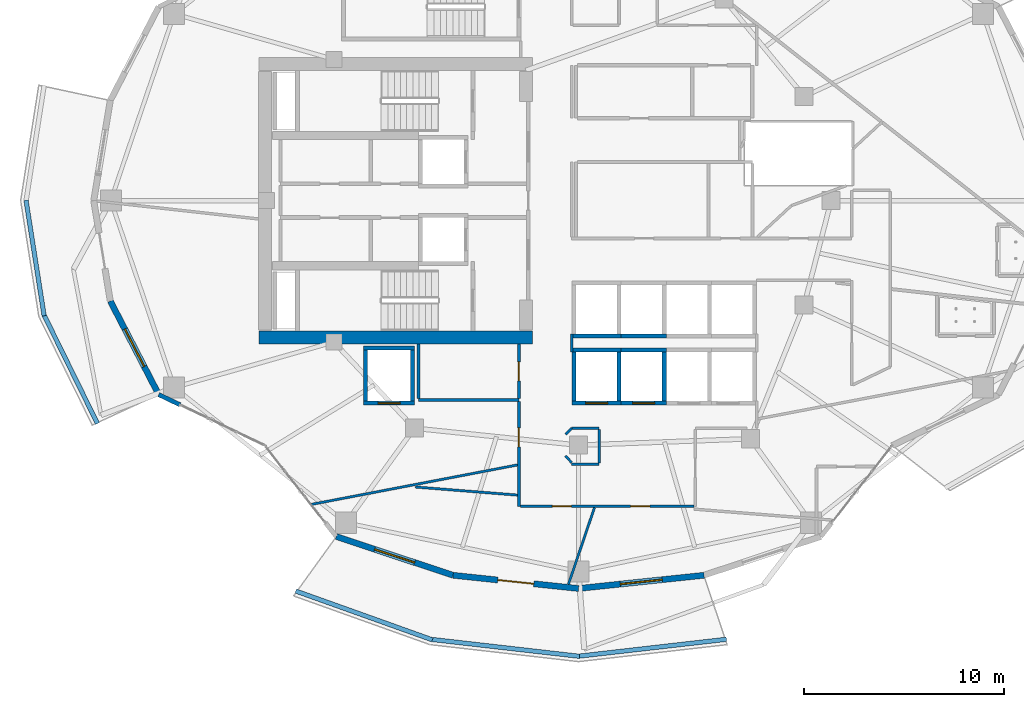
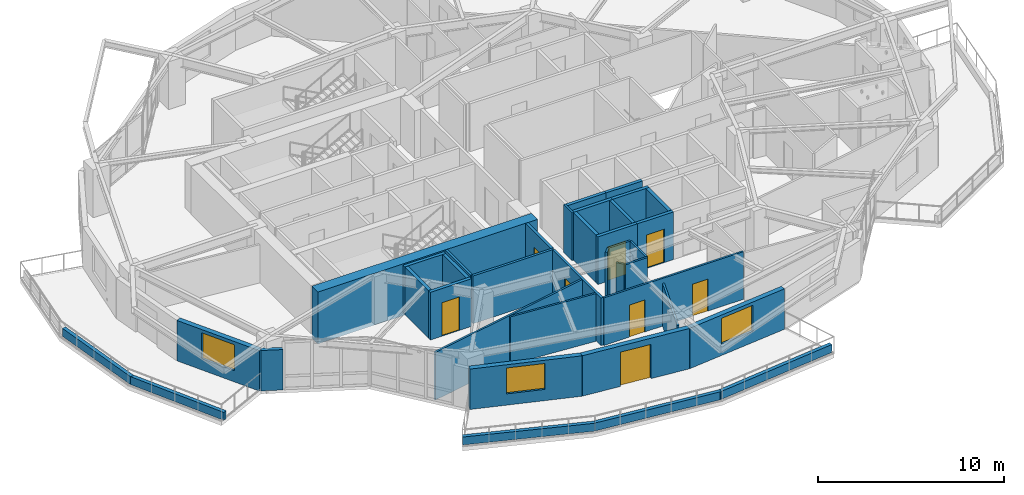
# One storey, part 7 of 18: 38 walls, 8 doors, 3 windows, 11 openings.
"""IFC4 building model written with IfcOpenShell, lengths in metres."""

from ifc_helpers import new_model, si_unit, direction, frame, frame_2d, origin, place, context, subcontext, project, spatial, rectangle, extrude, material, layer, layer_set, type_object, element, fill, save


model = new_model("IFC4")

# Units and contexts
model_context = context("Model", 3, precision=1e-05, world=origin(), true_north=direction((0.0, 1.0)))
body_context = subcontext(model_context, "Body", "Model", "MODEL_VIEW")
ifc_project = project(units=[si_unit("LENGTHUNIT", "METRE"), si_unit("AREAUNIT", "SQUARE_METRE"), si_unit("VOLUMEUNIT", "CUBIC_METRE"), si_unit("PLANEANGLEUNIT", "RADIAN"), si_unit("MASSUNIT", "GRAM", prefix="KILO")], contexts=[model_context])

# Site, building, storey
site_placement = place(None, origin())
site = spatial("IfcSite", under=ifc_project, at=site_placement, CompositionType="ELEMENT")
building_placement = place(site_placement, origin())
building = spatial("IfcBuilding", under=site, at=building_placement, Name="Kolvaren Gate Tower and Convention Centre", CompositionType="ELEMENT")
storey_placement = place(building_placement, frame((0.0, 0.0, 115.5)))
storey = spatial("IfcBuildingStorey", under=building, at=storey_placement, Name="L28", CompositionType="ELEMENT", Elevation=115.5)

# Wall
ifc_material_1 = material(Name="Fire-Rated Acoustic Gypsum Stud Partition", Category="gypsum")
ifc_layer_1 = layer(ifc_material_1, 0.1201171875)
ifc_layer_set_1 = layer_set([ifc_layer_1], Name="Fire-Rated Acoustic Gypsum Stud Partition")
wall_type_1 = type_object("IfcWallType", Name="ARCH-WL-PART-120", PredefinedType="PARTITIONING", material=ifc_layer_set_1)
wall_1_placement = place(storey_placement, frame((29.780029296875, 15.64990234375, 0.0), z_axis=(0.0, 0.0, 1.0), x_axis=(1.0, 0.0, 0.0)))
element("IfcWall", 1, at=wall_1_placement, inside=storey, type_object=wall_type_1, Name="Interior Partition WL-L28-INT-024", PredefinedType="PARTITIONING", context=body_context, shape_type="SweptSolid", body=[
    extrude(rectangle(XDim=1.369873046875, YDim=0.1201171875, at=frame_2d((0.68505859375, 0.0))), origin(), (0.0, 0.0, 1.0), 3.1298828125),
])

# Wall, openings, doors
wall_2_placement = place(storey_placement, frame((27.22705078125, 11.75, 0.0), z_axis=(0.0, 0.0, 1.0), x_axis=(1.0, 0.0, 0.0)))
wall_2 = element("IfcWall", 2, at=wall_2_placement, inside=storey, type_object=wall_type_1, Name="Interior Partition WL-L28-INT-027", PredefinedType="PARTITIONING", context=body_context, shape_type="SweptSolid", body=[
    extrude(rectangle(XDim=8.660888671875, YDim=0.1201171875, at=frame_2d((4.33056640625, 0.0))), origin(), (0.0, 0.0, 1.0), 3.1298828125),
])
opening_1_placement = place(wall_2_placement, frame((1.59326171875, 0.0, 0.0)))
opening_1 = element("IfcOpeningElement", 3, at=opening_1_placement, cuts=wall_2, Name="Opening DR-01", PredefinedType="OPENING", context=body_context, shape_type="SweptSolid", body=[
    extrude(rectangle(XDim=0.949951171875, YDim=2.10009765625, at=frame_2d((0.47509765625, 1.050048828125))), frame((0.0, 0.070068359375, 0.0), z_axis=(0.0, -1.0, 0.0), x_axis=(1.0, 0.0, 0.0)), (0.0, 0.0, 1.0), 0.14013671875),
])
opening_2_placement = place(wall_2_placement, frame((5.500244140625, 0.0, 0.0)))
opening_2 = element("IfcOpeningElement", 4, at=opening_2_placement, cuts=wall_2, Name="Opening DR-01", PredefinedType="OPENING", context=body_context, shape_type="SweptSolid", body=[
    extrude(rectangle(XDim=0.949951171875, YDim=2.10009765625, at=frame_2d((0.47509765625, 1.050048828125))), frame((0.0, 0.070068359375, 0.0), z_axis=(0.0, -1.0, 0.0), x_axis=(1.0, 0.0, 0.0)), (0.0, 0.0, 1.0), 0.14013671875),
])
ifc_material_2 = material(Name="Painted Architectural Steelwork ASTM A500 Grade C 345 MPa", Category="steel")
door_type_1 = type_object("IfcDoorType", Name="ARCH-DR-RISER-950", OperationType="SINGLE_SWING_RIGHT", PredefinedType="DOOR", material=ifc_material_2)
door_1_placement = place(opening_1_placement, origin())
door_1 = element("IfcDoor", 5, at=door_1_placement, inside=storey, type_object=door_type_1, Name="Hotel Executive Business Office Door", OperationType="SINGLE_SWING_LEFT", OverallHeight=2.10009765625, OverallWidth=0.949951171875, PredefinedType="DOOR", context=body_context, shape_type="SweptSolid", body=[
    extrude(rectangle(XDim=0.949951171875, YDim=2.10009765625, at=frame_2d((0.47509765625, 1.050048828125))), frame((0.0, 0.02490234375, 0.0), z_axis=(0.0, -1.0, 0.0), x_axis=(1.0, 0.0, 0.0)), (0.0, 0.0, 1.0), 0.050048828125),
])
fill(opening_1, door_1)
door_2_placement = place(opening_2_placement, origin())
door_2 = element("IfcDoor", 6, at=door_2_placement, inside=storey, type_object=door_type_1, Name="Hotel Executive Business Office Door", OperationType="SINGLE_SWING_RIGHT", OverallHeight=2.10009765625, OverallWidth=0.949951171875, PredefinedType="DOOR", context=body_context, shape_type="SweptSolid", body=[
    extrude(rectangle(XDim=0.949951171875, YDim=2.10009765625, at=frame_2d((0.47509765625, 1.050048828125))), frame((0.0, 0.02490234375, 0.0), z_axis=(0.0, -1.0, 0.0), x_axis=(1.0, 0.0, 0.0)), (0.0, 0.0, 1.0), 0.050048828125),
])
fill(opening_2, door_2)

# Walls
wall_3_placement = place(storey_placement, frame((29.780029296875, 19.43994140625, 0.0), z_axis=(0.0, 0.0, 1.0), x_axis=(0.0, 1.0, 0.0)))
element("IfcWall", 7, at=wall_3_placement, inside=storey, type_object=wall_type_1, Name="Interior Partition WL-L28-INT-030", PredefinedType="PARTITIONING", context=body_context, shape_type="SweptSolid", body=[
    extrude(rectangle(XDim=0.920166015625, YDim=0.1201171875, at=frame_2d((0.4599609375, 0.0))), origin(), (0.0, 0.0, 1.0), 3.1298828125),
])
wall_4_placement = place(storey_placement, frame((29.47607421875, 15.3330078125, 0.0), z_axis=(0.0, 0.0, 1.0), x_axis=(0.692219273951, 0.721687243043, 0.0)))
element("IfcWall", 8, at=wall_4_placement, inside=storey, type_object=wall_type_1, Name="Interior Partition WL-L28-INT-046", PredefinedType="PARTITIONING", context=body_context, shape_type="SweptSolid", body=[
    extrude(rectangle(XDim=0.439208984375, YDim=0.1201171875, at=frame_2d((0.2197265625, 0.0))), origin(), (0.0, 0.0, 1.0), 3.1298828125),
])
wall_5_placement = place(storey_placement, frame((29.47607421875, 14.26708984375, 0.0), z_axis=(0.0, 0.0, 1.0), x_axis=(0.670659392016, -0.741765448037, 0.0)))
element("IfcWall", 9, at=wall_5_placement, inside=storey, type_object=wall_type_1, Name="Interior Partition WL-L28-INT-047", PredefinedType="PARTITIONING", context=body_context, shape_type="SweptSolid", body=[
    extrude(rectangle(XDim=0.453125, YDim=0.1201171875, at=frame_2d((0.2265625, 0.0))), origin(), (0.0, 0.0, 1.0), 3.1298828125),
])
wall_6_placement = place(storey_placement, frame((29.780029296875, 13.85009765625, 0.0), z_axis=(0.0, 0.0, 1.0), x_axis=(1.0, 0.0, 0.0)))
element("IfcWall", 10, at=wall_6_placement, inside=storey, type_object=wall_type_1, Name="Interior Partition WL-L28-INT-048", PredefinedType="PARTITIONING", context=body_context, shape_type="SweptSolid", body=[
    extrude(rectangle(XDim=1.369873046875, YDim=0.1201171875, at=frame_2d((0.68505859375, 0.0))), origin(), (0.0, 0.0, 1.0), 3.1298828125),
])
wall_7_placement = place(storey_placement, frame((31.14990234375, 13.912109375, 0.0), z_axis=(0.0, 0.0, 1.0), x_axis=(0.0, 1.0, 0.0)))
element("IfcWall", 11, at=wall_7_placement, inside=storey, type_object=wall_type_1, Name="Interior Partition WL-L28-INT-049", PredefinedType="PARTITIONING", context=body_context, shape_type="SweptSolid", body=[
    extrude(rectangle(XDim=1.67578125, YDim=0.1201171875, at=frame_2d((0.837890625, 0.0))), origin(), (0.0, 0.0, 1.0), 3.1298828125),
])
wall_8_placement = place(storey_placement, frame((16.803466796875, 11.847900390625, 0.0), z_axis=(0.0, 0.0, 1.0), x_axis=(0.982158678802, 0.188054060457, 0.0)))
element("IfcWall", 12, at=wall_8_placement, inside=storey, type_object=wall_type_1, Name="Interior Partition WL-L28-INT-053", PredefinedType="PARTITIONING", context=body_context, shape_type="SweptSolid", body=[
    extrude(rectangle(XDim=10.4560546875, YDim=0.1201171875, at=frame_2d((5.22802734375, 0.0))), origin(), (0.0, 0.0, 1.0), 3.1298828125),
])
wall_9_placement = place(storey_placement, frame((21.97802734375, 12.714599609375, 0.0), z_axis=(0.0, 0.0, 1.0), x_axis=(0.996862641209, -0.079150960587, 0.0)))
element("IfcWall", 13, at=wall_9_placement, inside=storey, type_object=wall_type_1, Name="Interior Partition WL-L28-INT-055", PredefinedType="PARTITIONING", context=body_context, shape_type="SweptSolid", body=[
    extrude(rectangle(XDim=5.111083984375, YDim=0.1201171875, at=frame_2d((2.5556640625, 0.0))), origin(), (0.0, 0.0, 1.0), 3.1298828125),
])
wall_10_placement = place(storey_placement, frame((29.617919921875, 7.856201171875, 0.0), z_axis=(0.0, 0.0, 1.0), x_axis=(0.321507920556, 0.946906889308, 0.0)))
element("IfcWall", 14, at=wall_10_placement, inside=storey, type_object=wall_type_1, Name="Interior Partition WL-L28-INT-057", PredefinedType="PARTITIONING", context=body_context, shape_type="SweptSolid", body=[
    extrude(rectangle(XDim=4.046630859375, YDim=0.1201171875, at=frame_2d((2.0234375, 0.0))), origin(), (0.0, 0.0, 1.0), 2.81201171875),
])
ifc_material_3 = material(Name="Bogota Sabana Bush-Hammered Sandstone Cladding", Category="masonry")
ifc_layer_2 = layer(ifc_material_3, 0.219970703125)
ifc_layer_set_2 = layer_set([ifc_layer_2], Name="Bogota Sabana Bush-Hammered Sandstone Cladding")
wall_type_2 = type_object("IfcWallType", Name="ARCH-WL-PIER-220", PredefinedType="SOLIDWALL", material=ifc_layer_set_2)
wall_11_placement = place(storey_placement, frame((9.177978515625, 17.324951171875, 0.0), z_axis=(0.0, 0.0, 1.0), x_axis=(0.901426247285, -0.432932697664, 0.0)))
element("IfcWall", 15, at=wall_11_placement, inside=storey, type_object=wall_type_2, Name="Tower L28 Unitised Curtain Wall CW-HTL-UNIT Bay 14 Left Column Pier Wrap", PredefinedType="SOLIDWALL", context=body_context, shape_type="SweptSolid", body=[
    extrude(rectangle(XDim=1.180908203125, YDim=0.219970703125, at=frame_2d((0.59033203125, 0.0))), origin(), (0.0, 0.0, 1.0), 2.653076171875),
])
ifc_material_4 = material(Name="Piedmont Cream Honed Limestone Cladding", Category="masonry")
ifc_layer_3 = layer(ifc_material_4, 0.219970703125)
ifc_layer_set_3 = layer_set([ifc_layer_3], Name="Piedmont Cream Honed Limestone Cladding")
wall_type_3 = type_object("IfcWallType", Name="ARCH-WL-PLANTER-220", PredefinedType="PARAPET", material=ifc_layer_set_3)
wall_12_placement = place(storey_placement, frame((2.555908203125, 27.029296875, 0.0), z_axis=(0.0, 0.0, 1.0), x_axis=(0.154903030247, -0.987929679289, 0.0)))
element("IfcWall", 16, at=wall_12_placement, inside=storey, type_object=wall_type_3, Name="Vertical-Forest Balcony Stone Planter Kerb PK-L28-2.2", PredefinedType="PARAPET", context=body_context, shape_type="SweptSolid", body=[
    extrude(rectangle(XDim=5.845703125, YDim=0.219970703125, at=frame_2d((2.9228515625, 0.0))), origin(), (0.0, 0.0, 1.0), 0.52001953125),
])
wall_13_placement = place(storey_placement, frame((3.44873046875, 21.31298828125, 0.0), z_axis=(0.0, 0.0, 1.0), x_axis=(0.441269631716, -0.897374566235, 0.0)))
element("IfcWall", 17, at=wall_13_placement, inside=storey, type_object=wall_type_3, Name="Vertical-Forest Balcony Stone Planter Kerb PK-L28-2.3", PredefinedType="PARAPET", context=body_context, shape_type="SweptSolid", body=[
    extrude(rectangle(XDim=6.05615234375, YDim=0.219970703125, at=frame_2d((3.028076171875, 0.0))), origin(), (0.0, 0.0, 1.0), 0.52001953125),
])
wall_14_placement = place(storey_placement, frame((16.017822265625, 7.523193359375, 0.0), z_axis=(0.0, 0.0, 1.0), x_axis=(0.941632697311, -0.336642040387, 0.0)))
element("IfcWall", 18, at=wall_14_placement, inside=storey, type_object=wall_type_3, Name="Vertical-Forest Balcony Stone Planter Kerb PK-L28-3.1", PredefinedType="PARAPET", context=body_context, shape_type="SweptSolid", body=[
    extrude(rectangle(XDim=7.235595703125, YDim=0.219970703125, at=frame_2d((3.61767578125, 0.0))), origin(), (0.0, 0.0, 1.0), 0.52001953125),
])
for number, where, z_axis, x_axis, name in (
    (19, (22.747802734375, 5.114990234375, 0.0), (0.0, 0.0, 1.0), (0.993527615836, -0.11359082961, 0.0), "Vertical-Forest Balcony Stone Planter Kerb PK-L28-3.2"),
    (20, (30.07958984375, 4.266357421875, 0.0), (0.0, 0.0, 1.0), (0.993527615836, 0.11359082961, 0.0), "Vertical-Forest Balcony Stone Planter Kerb PK-L28-3.3"),
):
    element("IfcWall", number, at=place(storey_placement, frame(where, z_axis=z_axis, x_axis=x_axis)), inside=storey, type_object=wall_type_3, Name=name, PredefinedType="PARAPET", context=body_context, shape_type="SweptSolid", body=[
        extrude(rectangle(XDim=7.470947265625, YDim=0.219970703125, at=frame_2d((3.7353515625, 0.0))), origin(), (0.0, 0.0, 1.0), 0.52001953125),
    ])
ifc_material_5 = material(Name="Autoclaved Aerated Masonry Blockwork Class 4 (4.0 MPa)", Category="masonry")
ifc_layer_4 = layer(ifc_material_5, 0.199951171875)
ifc_layer_set_4 = layer_set([ifc_layer_4], Name="Autoclaved Aerated Masonry Blockwork Class 4 (4.0 MPa)")
wall_type_4 = type_object("IfcWallType", Name="ARCH-WL-SHAFT-200", PredefinedType="SOLIDWALL", material=ifc_layer_set_4)
wall_15_placement = place(storey_placement, frame((19.39990234375, 19.64990234375, 0.0), z_axis=(0.0, 0.0, 1.0), x_axis=(1.0, 0.0, 0.0)))
element("IfcWall", 21, at=wall_15_placement, inside=storey, type_object=wall_type_4, Name="Elevator SV-01 L28 Fire Shaft Wall N", PredefinedType="SOLIDWALL", context=body_context, shape_type="SweptSolid", body=[
    extrude(rectangle(XDim=2.550048828125, YDim=0.199951171875, at=frame_2d((1.27490234375, 0.0))), origin(), (0.0, 0.0, 1.0), 3.1298828125),
])

# Wall, opening, door
wall_16_placement = place(storey_placement, frame((19.39990234375, 16.89990234375, 0.0), z_axis=(0.0, 0.0, 1.0), x_axis=(1.0, 0.0, 0.0)))
wall_16 = element("IfcWall", 22, at=wall_16_placement, inside=storey, type_object=wall_type_4, Name="Elevator SV-01 L28 Fire Shaft Wall S", PredefinedType="SOLIDWALL", context=body_context, shape_type="SweptSolid", body=[
    extrude(rectangle(XDim=2.550048828125, YDim=0.199951171875, at=frame_2d((1.27490234375, 0.0))), origin(), (0.0, 0.0, 1.0), 3.1298828125),
])
opening_3_placement = place(wall_16_placement, frame((0.72509765625, 0.0, 0.0)))
opening_3 = element("IfcOpeningElement", 23, at=opening_3_placement, cuts=wall_16, Name="Opening LD", PredefinedType="OPENING", context=body_context, shape_type="SweptSolid", body=[
    extrude(rectangle(XDim=1.10009765625, YDim=2.199951171875, at=frame_2d((0.550048828125, 1.10009765625))), frame((0.0, 0.10986328125, 0.0), z_axis=(0.0, -1.0, 0.0), x_axis=(1.0, 0.0, 0.0)), (0.0, 0.0, 1.0), 0.219970703125),
])
ifc_material_6 = material(Name="Brushed Stainless Steel Grade 316L", Category="steel")
door_type_2 = type_object("IfcDoorType", Name="ARCH-DR-LIFT-1100", OperationType="SLIDING_TO_LEFT", PredefinedType="DOOR", material=ifc_material_6)
door_3_placement = place(opening_3_placement, origin())
door_3 = element("IfcDoor", 24, at=door_3_placement, inside=storey, type_object=door_type_2, Name="Elevator SV-01 L28 Sliding Landing Door", OperationType="SLIDING_TO_LEFT", OverallHeight=2.199951171875, OverallWidth=1.10009765625, PredefinedType="DOOR", context=body_context, shape_type="SweptSolid", body=[
    extrude(rectangle(XDim=1.10009765625, YDim=2.199951171875, at=frame_2d((0.550048828125, 1.10009765625))), frame((0.0, 0.02490234375, 0.0), z_axis=(0.0, -1.0, 0.0), x_axis=(1.0, 0.0, 0.0)), (0.0, 0.0, 1.0), 0.050048828125),
])
fill(opening_3, door_3)

# Walls
for number, where, z_axis, x_axis, name in (
    (25, (19.5, 17.010009765625, 0.0), (0.0, 0.0, 1.0), (0.0, 1.0, 0.0), "Elevator SV-01 L28 Fire Shaft Wall W"),
    (26, (21.85009765625, 17.010009765625, 0.0), (0.0, 0.0, 1.0), (0.0, 1.0, 0.0), "Elevator SV-01 L28 Fire Shaft Wall E"),
):
    element("IfcWall", number, at=place(storey_placement, frame(where, z_axis=z_axis, x_axis=x_axis)), inside=storey, type_object=wall_type_4, Name=name, PredefinedType="SOLIDWALL", context=body_context, shape_type="SweptSolid", body=[
        extrude(rectangle(XDim=2.530029296875, YDim=0.199951171875, at=frame_2d((1.26513671875, 0.0))), origin(), (0.0, 0.0, 1.0), 3.1298828125),
    ])
wall_17_placement = place(storey_placement, frame((29.800048828125, 19.550048828125, 0.0), z_axis=(0.0, 0.0, 1.0), x_axis=(1.0, 0.0, 0.0)))
element("IfcWall", 27, at=wall_17_placement, inside=storey, type_object=wall_type_4, Name="Elevator PL-05 L28 Fire Shaft Wall N", PredefinedType="SOLIDWALL", context=body_context, shape_type="SweptSolid", body=[
    extrude(rectangle(XDim=2.449951171875, YDim=0.199951171875, at=frame_2d((1.22509765625, 0.0))), origin(), (0.0, 0.0, 1.0), 3.1298828125),
])

# Wall, opening, door
wall_18_placement = place(storey_placement, frame((29.800048828125, 16.89990234375, 0.0), z_axis=(0.0, 0.0, 1.0), x_axis=(1.0, 0.0, 0.0)))
wall_18 = element("IfcWall", 28, at=wall_18_placement, inside=storey, type_object=wall_type_4, Name="Elevator PL-05 L28 Fire Shaft Wall S", PredefinedType="SOLIDWALL", context=body_context, shape_type="SweptSolid", body=[
    extrude(rectangle(XDim=2.449951171875, YDim=0.199951171875, at=frame_2d((1.22509765625, 0.0))), origin(), (0.0, 0.0, 1.0), 3.1298828125),
])
opening_4_placement = place(wall_18_placement, frame((0.675048828125, 0.0, 0.0)))
opening_4 = element("IfcOpeningElement", 29, at=opening_4_placement, cuts=wall_18, Name="Opening LD", PredefinedType="OPENING", context=body_context, shape_type="SweptSolid", body=[
    extrude(rectangle(XDim=1.10009765625, YDim=2.199951171875, at=frame_2d((0.550048828125, 1.10009765625))), frame((0.0, 0.10986328125, 0.0), z_axis=(0.0, -1.0, 0.0), x_axis=(1.0, 0.0, 0.0)), (0.0, 0.0, 1.0), 0.219970703125),
])
door_4_placement = place(opening_4_placement, origin())
door_4 = element("IfcDoor", 30, at=door_4_placement, inside=storey, type_object=door_type_2, Name="Elevator PL-05 L28 Sliding Landing Door", OperationType="SLIDING_TO_LEFT", OverallHeight=2.199951171875, OverallWidth=1.10009765625, PredefinedType="DOOR", context=body_context, shape_type="SweptSolid", body=[
    extrude(rectangle(XDim=1.10009765625, YDim=2.199951171875, at=frame_2d((0.550048828125, 1.10009765625))), frame((0.0, 0.02490234375, 0.0), z_axis=(0.0, -1.0, 0.0), x_axis=(1.0, 0.0, 0.0)), (0.0, 0.0, 1.0), 0.050048828125),
])
fill(opening_4, door_4)

# Walls
for number, where, z_axis, x_axis, name in (
    (31, (29.89990234375, 17.010009765625, 0.0), (0.0, 0.0, 1.0), (0.0, 1.0, 0.0), "Elevator PL-05 L28 Fire Shaft Wall W"),
    (32, (32.14990234375, 17.010009765625, 0.0), (0.0, 0.0, 1.0), (0.0, 1.0, 0.0), "Elevator PL-05 L28 Fire Shaft Wall E"),
):
    element("IfcWall", number, at=place(storey_placement, frame(where, z_axis=z_axis, x_axis=x_axis)), inside=storey, type_object=wall_type_4, Name=name, PredefinedType="SOLIDWALL", context=body_context, shape_type="SweptSolid", body=[
        extrude(rectangle(XDim=2.429931640625, YDim=0.199951171875, at=frame_2d((1.21484375, 0.0))), origin(), (0.0, 0.0, 1.0), 3.1298828125),
    ])
wall_19_placement = place(storey_placement, frame((32.25, 19.550048828125, 0.0), z_axis=(0.0, 0.0, 1.0), x_axis=(1.0, 0.0, 0.0)))
element("IfcWall", 33, at=wall_19_placement, inside=storey, type_object=wall_type_4, Name="Elevator PL-06 L28 Fire Shaft Wall N", PredefinedType="SOLIDWALL", context=body_context, shape_type="SweptSolid", body=[
    extrude(rectangle(XDim=2.25, YDim=0.199951171875, at=frame_2d((1.125, 0.0))), origin(), (0.0, 0.0, 1.0), 3.1298828125),
])

# Wall, opening, door
wall_20_placement = place(storey_placement, frame((32.25, 16.89990234375, 0.0), z_axis=(0.0, 0.0, 1.0), x_axis=(1.0, 0.0, 0.0)))
wall_20 = element("IfcWall", 34, at=wall_20_placement, inside=storey, type_object=wall_type_4, Name="Elevator PL-06 L28 Fire Shaft Wall S", PredefinedType="SOLIDWALL", context=body_context, shape_type="SweptSolid", body=[
    extrude(rectangle(XDim=2.25, YDim=0.199951171875, at=frame_2d((1.125, 0.0))), origin(), (0.0, 0.0, 1.0), 3.1298828125),
])
opening_5_placement = place(wall_20_placement, frame((0.574951171875, 0.0, 0.0)))
opening_5 = element("IfcOpeningElement", 35, at=opening_5_placement, cuts=wall_20, Name="Opening LD", PredefinedType="OPENING", context=body_context, shape_type="SweptSolid", body=[
    extrude(rectangle(XDim=1.10009765625, YDim=2.199951171875, at=frame_2d((0.550048828125, 1.10009765625))), frame((0.0, 0.10986328125, 0.0), z_axis=(0.0, -1.0, 0.0), x_axis=(1.0, 0.0, 0.0)), (0.0, 0.0, 1.0), 0.219970703125),
])
door_5_placement = place(opening_5_placement, origin())
door_5 = element("IfcDoor", 36, at=door_5_placement, inside=storey, type_object=door_type_2, Name="Elevator PL-06 L28 Sliding Landing Door", OperationType="SLIDING_TO_LEFT", OverallHeight=2.199951171875, OverallWidth=1.10009765625, PredefinedType="DOOR", context=body_context, shape_type="SweptSolid", body=[
    extrude(rectangle(XDim=1.10009765625, YDim=2.199951171875, at=frame_2d((0.550048828125, 1.10009765625))), frame((0.0, 0.02490234375, 0.0), z_axis=(0.0, -1.0, 0.0), x_axis=(1.0, 0.0, 0.0)), (0.0, 0.0, 1.0), 0.050048828125),
])
fill(opening_5, door_5)

# Walls
wall_21_placement = place(storey_placement, frame((34.39990234375, 17.010009765625, 0.0), z_axis=(0.0, 0.0, 1.0), x_axis=(0.0, 1.0, 0.0)))
element("IfcWall", 37, at=wall_21_placement, inside=storey, type_object=wall_type_4, Name="Elevator PL-06 L28 Fire Shaft Wall E", PredefinedType="SOLIDWALL", context=body_context, shape_type="SweptSolid", body=[
    extrude(rectangle(XDim=2.429931640625, YDim=0.199951171875, at=frame_2d((1.21484375, 0.0))), origin(), (0.0, 0.0, 1.0), 3.1298828125),
])
wall_22_placement = place(storey_placement, frame((29.800048828125, 20.25, 0.0), z_axis=(0.0, 0.0, 1.0), x_axis=(1.0, 0.0, 0.0)))
element("IfcWall", 38, at=wall_22_placement, inside=storey, type_object=wall_type_4, Name="Elevator PL-09 L28 Fire Shaft Wall S", PredefinedType="SOLIDWALL", context=body_context, shape_type="SweptSolid", body=[
    extrude(rectangle(XDim=2.449951171875, YDim=0.199951171875, at=frame_2d((1.22509765625, 0.0))), origin(), (0.0, 0.0, 1.0), 3.1298828125),
])
wall_23_placement = place(storey_placement, frame((32.25, 20.25, 0.0), z_axis=(0.0, 0.0, 1.0), x_axis=(1.0, 0.0, 0.0)))
element("IfcWall", 39, at=wall_23_placement, inside=storey, type_object=wall_type_4, Name="Elevator PL-10 L28 Fire Shaft Wall S", PredefinedType="SOLIDWALL", context=body_context, shape_type="SweptSolid", body=[
    extrude(rectangle(XDim=2.25, YDim=0.199951171875, at=frame_2d((1.125, 0.0))), origin(), (0.0, 0.0, 1.0), 3.1298828125),
])

# Wall, opening, window
ifc_layer_5 = layer(ifc_material_4, 0.300048828125)
ifc_layer_set_5 = layer_set([ifc_layer_5], Name="Piedmont Cream Honed Limestone Cladding")
wall_type_5 = type_object("IfcWallType", Name="ARCH-WL-STONE-300", PredefinedType="SOLIDWALL", material=ifc_layer_set_5)
wall_24_placement = place(storey_placement, frame((6.76171875, 21.991943359375, 0.0), z_axis=(0.0, 0.0, 1.0), x_axis=(0.459767899643, -0.888039119892, 0.0)))
wall_24 = element("IfcWall", 40, at=wall_24_placement, inside=storey, type_object=wall_type_5, Name="Tower L28 Honed Stone Spandrel Wall EW-13", PredefinedType="SOLIDWALL", context=body_context, shape_type="SweptSolid", body=[
    extrude(rectangle(XDim=5.25537109375, YDim=0.300048828125, at=frame_2d((2.627685546875, 0.0))), origin(), (0.0, 0.0, 1.0), 2.653076171875),
])
opening_6_placement = place(wall_24_placement, frame((1.577880859375, 0.0, 0.739990234375)))
opening_6 = element("IfcOpeningElement", 41, at=opening_6_placement, cuts=wall_24, Name="Opening W-02", PredefinedType="OPENING", context=body_context, shape_type="SweptSolid", body=[
    extrude(rectangle(XDim=2.10009765625, YDim=1.699951171875, at=frame_2d((1.050048828125, 0.85009765625))), frame((0.0, 0.159912109375, 0.0), z_axis=(0.0, -1.0, 0.0), x_axis=(1.0, 0.0, 0.0)), (0.0, 0.0, 1.0), 0.320068359375),
])
ifc_material_7 = material(Name="Low-E Triple Insulated Glazing Unit 44 mm", Category="glass")
window_type = type_object("IfcWindowType", Name="ARCH-WN-HTL-2100", PartitioningType="SINGLE_PANEL", PredefinedType="WINDOW", material=ifc_material_7)
window_1_placement = place(opening_6_placement, origin())
window_1 = element("IfcWindow", 42, at=window_1_placement, inside=storey, type_object=window_type, Name="Tower L28 Punched Stone Facade Window W-13", OverallHeight=1.699951171875, OverallWidth=2.10009765625, PartitioningType="SINGLE_PANEL", PredefinedType="WINDOW", context=body_context, shape_type="SweptSolid", body=[
    extrude(rectangle(XDim=2.10009765625, YDim=1.699951171875, at=frame_2d((1.050048828125, 0.85009765625))), frame((0.0, 0.030029296875, 0.0), z_axis=(0.0, -1.0, 0.0), x_axis=(1.0, 0.0, 0.0)), (0.0, 0.0, 1.0), 0.06005859375),
])
fill(opening_6, window_1)

wall_25_placement = place(storey_placement, frame((18.03125, 10.242431640625, 0.0), z_axis=(0.0, 0.0, 1.0), x_axis=(0.949238009374, -0.314558741032, 0.0)))
wall_25 = element("IfcWall", 43, at=wall_25_placement, inside=storey, type_object=wall_type_5, Name="Tower L28 Honed Stone Spandrel Wall EW-16", PredefinedType="SOLIDWALL", context=body_context, shape_type="SweptSolid", body=[
    extrude(rectangle(XDim=6.1455078125, YDim=0.300048828125, at=frame_2d((3.07275390625, 0.0))), origin(), (0.0, 0.0, 1.0), 2.653076171875),
])
opening_7_placement = place(wall_25_placement, frame((2.02294921875, 0.0, 0.739990234375)))
opening_7 = element("IfcOpeningElement", 44, at=opening_7_placement, cuts=wall_25, Name="Opening W-02", PredefinedType="OPENING", context=body_context, shape_type="SweptSolid", body=[
    extrude(rectangle(XDim=2.10009765625, YDim=1.699951171875, at=frame_2d((1.050048828125, 0.85009765625))), frame((0.0, 0.159912109375, 0.0), z_axis=(0.0, -1.0, 0.0), x_axis=(1.0, 0.0, 0.0)), (0.0, 0.0, 1.0), 0.320068359375),
])
window_2_placement = place(opening_7_placement, origin())
window_2 = element("IfcWindow", 45, at=window_2_placement, inside=storey, type_object=window_type, Name="Tower L28 Punched Stone Facade Window W-16", OverallHeight=1.699951171875, OverallWidth=2.10009765625, PartitioningType="SINGLE_PANEL", PredefinedType="WINDOW", context=body_context, shape_type="SweptSolid", body=[
    extrude(rectangle(XDim=2.10009765625, YDim=1.699951171875, at=frame_2d((1.050048828125, 0.85009765625))), frame((0.0, 0.030029296875, 0.0), z_axis=(0.0, -1.0, 0.0), x_axis=(1.0, 0.0, 0.0)), (0.0, 0.0, 1.0), 0.06005859375),
])
fill(opening_7, window_2)

# Wall, opening, door
wall_26_placement = place(storey_placement, frame((23.86474609375, 8.309326171875, 0.0), z_axis=(0.0, 0.0, 1.0), x_axis=(0.994498012394, -0.104755445421, 0.0)))
wall_26 = element("IfcWall", 46, at=wall_26_placement, inside=storey, type_object=wall_type_5, Name="Tower L28 Honed Stone Spandrel Wall EW-17", PredefinedType="SOLIDWALL", context=body_context, shape_type="SweptSolid", body=[
    extrude(rectangle(XDim=6.294921875, YDim=0.300048828125, at=frame_2d((3.1474609375, 0.0))), origin(), (0.0, 0.0, 1.0), 2.653076171875),
])
opening_8_placement = place(wall_26_placement, frame((2.2470703125, 0.0, 0.0)))
opening_8 = element("IfcOpeningElement", 47, at=opening_8_placement, cuts=wall_26, Name="Opening DB-01", PredefinedType="OPENING", context=body_context, shape_type="SweptSolid", body=[
    extrude(rectangle(XDim=1.800048828125, YDim=2.25, at=frame_2d((0.89990234375, 1.125))), frame((0.0, 0.159912109375, 0.0), z_axis=(0.0, -1.0, 0.0), x_axis=(1.0, 0.0, 0.0)), (0.0, 0.0, 1.0), 0.320068359375),
])
ifc_material_8 = material(Name="Anodized Architectural Aluminium Alloy 6063-T6", Category="aluminium")
door_type_3 = type_object("IfcDoorType", Name="ARCH-DR-BALC-1800", OperationType="SLIDING_TO_LEFT", PredefinedType="DOOR", material=ifc_material_8)
door_6_placement = place(opening_8_placement, frame((1.800048828125, 0.0, 0.0), z_axis=(0.0, 0.0, 1.0), x_axis=(-1.0, 0.0, 0.0)))
door_6 = element("IfcDoor", 48, at=door_6_placement, inside=storey, type_object=door_type_3, Name="Planted Sky Terrace Access Door DB-L28-17", OperationType="SLIDING_TO_LEFT", OverallHeight=2.25, OverallWidth=1.800048828125, PredefinedType="DOOR", context=body_context, shape_type="SweptSolid", body=[
    extrude(rectangle(XDim=1.800048828125, YDim=2.25, at=frame_2d((0.89990234375, 1.125))), frame((0.0, 0.02490234375, 0.0), z_axis=(0.0, -1.0, 0.0), x_axis=(1.0, 0.0, 0.0)), (0.0, 0.0, 1.0), 0.050048828125),
])
fill(opening_8, door_6)

# Wall, opening, window
wall_27_placement = place(storey_placement, frame((30.125, 7.64990234375, 0.0), z_axis=(0.0, 0.0, 1.0), x_axis=(0.994498012394, 0.104755445421, 0.0)))
wall_27 = element("IfcWall", 49, at=wall_27_placement, inside=storey, type_object=wall_type_5, Name="Tower L28 Honed Stone Spandrel Wall EW-18", PredefinedType="SOLIDWALL", context=body_context, shape_type="SweptSolid", body=[
    extrude(rectangle(XDim=6.294921875, YDim=0.300048828125, at=frame_2d((3.1474609375, 0.0))), origin(), (0.0, 0.0, 1.0), 2.653076171875),
])
opening_9_placement = place(wall_27_placement, frame((2.096923828125, 0.0, 0.739990234375)))
opening_9 = element("IfcOpeningElement", 50, at=opening_9_placement, cuts=wall_27, Name="Opening W-02", PredefinedType="OPENING", context=body_context, shape_type="SweptSolid", body=[
    extrude(rectangle(XDim=2.10009765625, YDim=1.699951171875, at=frame_2d((1.050048828125, 0.85009765625))), frame((0.0, 0.159912109375, 0.0), z_axis=(0.0, -1.0, 0.0), x_axis=(1.0, 0.0, 0.0)), (0.0, 0.0, 1.0), 0.320068359375),
])
window_3_placement = place(opening_9_placement, origin())
window_3 = element("IfcWindow", 51, at=window_3_placement, inside=storey, type_object=window_type, Name="Tower L28 Punched Stone Facade Window W-18", OverallHeight=1.699951171875, OverallWidth=2.10009765625, PartitioningType="SINGLE_PANEL", PredefinedType="WINDOW", context=body_context, shape_type="SweptSolid", body=[
    extrude(rectangle(XDim=2.10009765625, YDim=1.699951171875, at=frame_2d((1.050048828125, 0.85009765625))), frame((0.0, 0.030029296875, 0.0), z_axis=(0.0, -1.0, 0.0), x_axis=(1.0, 0.0, 0.0)), (0.0, 0.0, 1.0), 0.06005859375),
])
fill(opening_9, window_3)

# Walls
ifc_material_9 = material(Name="Moisture-Resistant Cement-Board Acoustic Partition", Category="gypsum")
ifc_layer_6 = layer(ifc_material_9, 0.14990234375)
ifc_layer_set_6 = layer_set([ifc_layer_6], Name="Moisture-Resistant Cement-Board Acoustic Partition")
wall_type_6 = type_object("IfcWallType", Name="ARCH-WL-WET-150", PredefinedType="PARTITIONING", material=ifc_layer_set_6)
wall_28_placement = place(storey_placement, frame((22.14990234375, 17.050048828125, 0.0), z_axis=(0.0, 0.0, 1.0), x_axis=(1.0, 0.0, 0.0)))
element("IfcWall", 52, at=wall_28_placement, inside=storey, type_object=wall_type_6, Name="Interior Partition WL-L28-INT-009", PredefinedType="PARTITIONING", context=body_context, shape_type="SweptSolid", body=[
    extrude(rectangle(XDim=5.0, YDim=0.14990234375, at=frame_2d((2.5, 0.0))), origin(), (0.0, 0.0, 1.0), 3.1298828125),
])
wall_29_placement = place(storey_placement, frame((22.14990234375, 17.126953125, 0.0), z_axis=(0.0, 0.0, 1.0), x_axis=(0.0, 1.0, 0.0)))
element("IfcWall", 53, at=wall_29_placement, inside=storey, type_object=wall_type_6, Name="Interior Partition WL-L28-INT-010", PredefinedType="PARTITIONING", context=body_context, shape_type="SweptSolid", body=[
    extrude(rectangle(XDim=2.720947265625, YDim=0.14990234375, at=frame_2d((1.3603515625, 0.0))), origin(), (0.0, 0.0, 1.0), 3.1298828125),
])

# Wall, opening, door
wall_30_placement = place(storey_placement, frame((27.14990234375, 11.75, 0.0), z_axis=(0.0, 0.0, 1.0), x_axis=(0.0, 1.0, 0.0)))
wall_30 = element("IfcWall", 54, at=wall_30_placement, inside=storey, type_object=wall_type_6, Name="Interior Partition WL-L28-INT-011", PredefinedType="PARTITIONING", context=body_context, shape_type="SweptSolid", body=[
    extrude(rectangle(XDim=5.222900390625, YDim=0.14990234375, at=frame_2d((2.611328125, 0.0))), origin(), (0.0, 0.0, 1.0), 3.1298828125),
])
opening_10_placement = place(wall_30_placement, frame((2.96875, 0.0, 0.0)))
opening_10 = element("IfcOpeningElement", 55, at=opening_10_placement, cuts=wall_30, Name="Opening DR-01", PredefinedType="OPENING", context=body_context, shape_type="SweptSolid", body=[
    extrude(rectangle(XDim=0.949951171875, YDim=2.10009765625, at=frame_2d((0.47509765625, 1.050048828125))), frame((0.0, 0.0849609375, 0.0), z_axis=(0.0, -1.0, 0.0), x_axis=(1.0, 0.0, 0.0)), (0.0, 0.0, 1.0), 0.169921875),
])
door_7_placement = place(opening_10_placement, origin())
door_7 = element("IfcDoor", 56, at=door_7_placement, inside=storey, type_object=door_type_1, Name="Hotel Executive Business Office Door", OperationType="SINGLE_SWING_RIGHT", OverallHeight=2.10009765625, OverallWidth=0.949951171875, PredefinedType="DOOR", context=body_context, shape_type="SweptSolid", body=[
    extrude(rectangle(XDim=0.949951171875, YDim=2.10009765625, at=frame_2d((0.47509765625, 1.050048828125))), frame((0.0, 0.02490234375, 0.0), z_axis=(0.0, -1.0, 0.0), x_axis=(1.0, 0.0, 0.0)), (0.0, 0.0, 1.0), 0.050048828125),
])
fill(opening_10, door_7)

wall_31_placement = place(storey_placement, frame((27.14990234375, 17.126953125, 0.0), z_axis=(0.0, 0.0, 1.0), x_axis=(0.0, 1.0, 0.0)))
wall_31 = element("IfcWall", 57, at=wall_31_placement, inside=storey, type_object=wall_type_6, Name="Interior Partition WL-L28-INT-011 (2)", PredefinedType="PARTITIONING", context=body_context, shape_type="SweptSolid", body=[
    extrude(rectangle(XDim=2.720947265625, YDim=0.14990234375, at=frame_2d((1.3603515625, 0.0))), origin(), (0.0, 0.0, 1.0), 3.1298828125),
])
opening_11_placement = place(wall_31_placement, frame((0.885498046875, 0.0, 0.0)))
opening_11 = element("IfcOpeningElement", 58, at=opening_11_placement, cuts=wall_31, Name="Opening DR-01", PredefinedType="OPENING", context=body_context, shape_type="SweptSolid", body=[
    extrude(rectangle(XDim=0.949951171875, YDim=2.10009765625, at=frame_2d((0.47509765625, 1.050048828125))), frame((0.0, 0.0849609375, 0.0), z_axis=(0.0, -1.0, 0.0), x_axis=(1.0, 0.0, 0.0)), (0.0, 0.0, 1.0), 0.169921875),
])
door_8_placement = place(opening_11_placement, origin())
door_8 = element("IfcDoor", 59, at=door_8_placement, inside=storey, type_object=door_type_1, Name="West Linen and Supply Store Door", OperationType="SINGLE_SWING_LEFT", OverallHeight=2.10009765625, OverallWidth=0.949951171875, PredefinedType="DOOR", context=body_context, shape_type="SweptSolid", body=[
    extrude(rectangle(XDim=0.949951171875, YDim=2.10009765625, at=frame_2d((0.47509765625, 1.050048828125))), frame((0.0, 0.02490234375, 0.0), z_axis=(0.0, -1.0, 0.0), x_axis=(1.0, 0.0, 0.0)), (0.0, 0.0, 1.0), 0.050048828125),
])
fill(opening_11, door_8)

# Wall
ifc_material_10 = material(Name="Concrete C60/75", Category="concrete")
ifc_layer_7 = layer(ifc_material_10, 0.64990234375)
ifc_layer_set_7 = layer_set([ifc_layer_7], Name="Concrete C60/75")
wall_type_7 = type_object("IfcWallType", Name="STR-WL-CORE-650", PredefinedType="SHEAR", material=ifc_layer_set_7)
wall_32_placement = place(storey_placement, frame((14.175048828125, 20.175048828125, -0.27001953125), z_axis=(0.0, 0.0, 1.0), x_axis=(1.0, 0.0, 0.0)))
element("IfcWall", 60, at=wall_32_placement, inside=storey, type_object=wall_type_7, Name="Tower L28 Offset Core Shear Wall S", PredefinedType="SHEAR", context=body_context, shape_type="SweptSolid", body=[
    extrude(rectangle(XDim=13.64990234375, YDim=0.64990234375, at=frame_2d((6.824951171875, 0.0))), origin(), (0.0, 0.0, 1.0), 3.39990234375),
])

save(model, "model.ifc")
